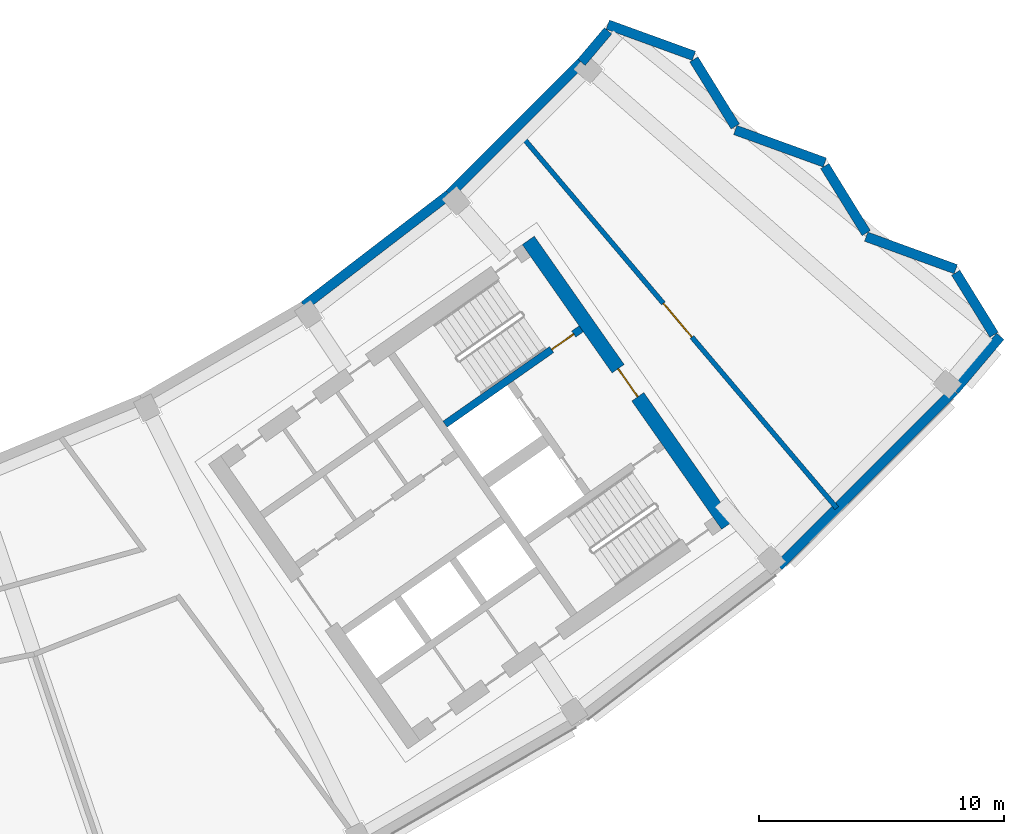
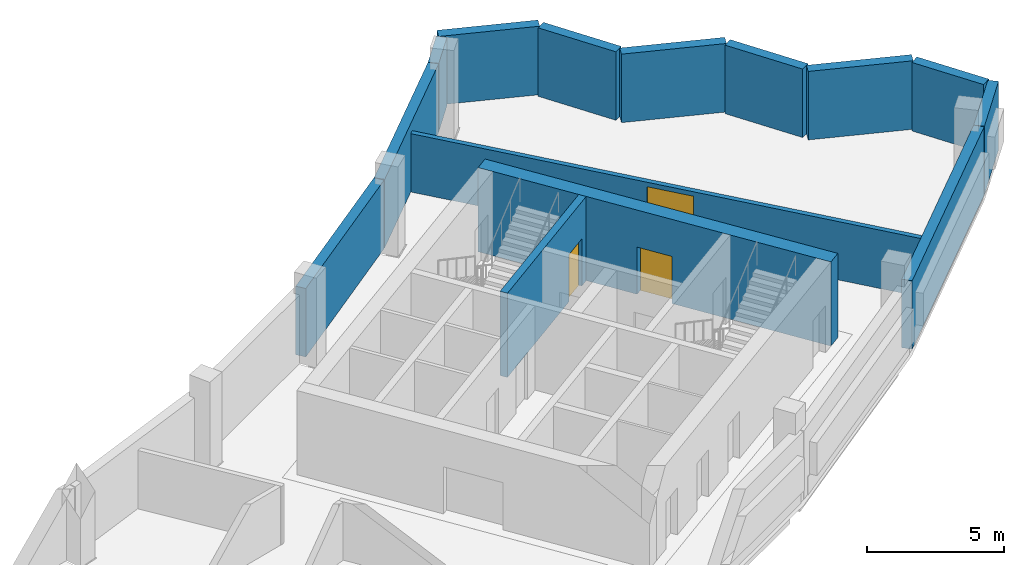
# One storey, part 7 of 12: 14 walls, 3 doors, 3 openings.
"""IFC4 building model written with IfcOpenShell, lengths in metres."""

from ifc_helpers import new_model, si_unit, direction, frame, frame_2d, origin, place, context, subcontext, project, spatial, rectangle, extrude, material, layer, layer_set, type_object, element, fill, save


model = new_model("IFC4")

# Units and contexts
model_context = context("Model", 3, precision=1e-05, world=origin(), true_north=direction((0.0, 1.0)))
body_context = subcontext(model_context, "Body", "Model", "MODEL_VIEW")
ifc_project = project(units=[si_unit("LENGTHUNIT", "METRE"), si_unit("AREAUNIT", "SQUARE_METRE"), si_unit("VOLUMEUNIT", "CUBIC_METRE"), si_unit("PLANEANGLEUNIT", "RADIAN"), si_unit("MASSUNIT", "GRAM", prefix="KILO")], contexts=[model_context])

# Site, building, storey
site_placement = place(None, origin())
site = spatial("IfcSite", under=ifc_project, at=site_placement, CompositionType="ELEMENT")
building_placement = place(site_placement, origin())
building = spatial("IfcBuilding", under=site, at=building_placement, Name="Qamariyya Broadcast Tower", CompositionType="ELEMENT")
storey_placement = place(building_placement, frame((0.0, 0.0, 290.699951171875)))
storey = spatial("IfcBuildingStorey", under=building, at=storey_placement, Name="L70", CompositionType="ELEMENT", Elevation=290.699951171875)

# Wall, opening, door
ifc_material_1 = material(Name="Concrete C60/75", Category="concrete")
ifc_layer_1 = layer(ifc_material_1, 0.60009765625)
ifc_layer_set_1 = layer_set([ifc_layer_1], Name="Core wall 600 mm Concrete C60/75")
wall_type_1 = type_object("IfcWallType", Name="Core wall 600 mm Concrete C60/75", PredefinedType="SHEAR", material=ifc_layer_set_1)
wall_1_placement = place(storey_placement, frame((49.4833984375, -57.031494140625, 0.0), z_axis=(0.0, 0.0, 1.0), x_axis=(-0.573560421458, 0.819163257805, 0.0)))
wall_1 = element("IfcWall", 1, at=wall_1_placement, inside=storey, type_object=wall_type_1, Name="k-E-L70-WH", PredefinedType="SHEAR", context=body_context, shape_type="SweptSolid", body=[
    extrude(rectangle(XDim=14.199951171875, YDim=0.60009765625, at=frame_2d((7.10009765625, 0.0))), origin(), (0.0, 0.0, 1.0), 3.75),
])
opening_1_placement = place(wall_1_placement, frame((6.39990234375, 0.0, 0.0)))
opening_1 = element("IfcOpeningElement", 2, at=opening_1_placement, cuts=wall_1, Name="Opening KD2-E1", PredefinedType="OPENING", context=body_context, shape_type="SweptSolid", body=[
    extrude(rectangle(XDim=1.39990234375, YDim=2.10009765625, at=frame_2d((0.699951171875, 1.050048828125))), frame((0.0, 0.31005859375, 0.0), z_axis=(0.0, -1.0, 0.0), x_axis=(1.0, 0.0, 0.0)), (0.0, 0.0, 1.0), 0.6201171875),
])
ifc_material_2 = material(Name="Steel fire-resisting door leaf", Category="steel")
door_type_1 = type_object("IfcDoorType", Name="Fire-fighting lobby door KD2", OperationType="DOUBLE_DOOR_SINGLE_SWING", PredefinedType="DOOR", material=ifc_material_2)
door_1_placement = place(opening_1_placement, origin())
door_1 = element("IfcDoor", 3, at=door_1_placement, inside=storey, type_object=door_type_1, Name="k-E-L70-WH-D13", OperationType="DOUBLE_DOOR_SINGLE_SWING", OverallHeight=2.10009765625, OverallWidth=1.39990234375, PredefinedType="DOOR", context=body_context, shape_type="SweptSolid", body=[
    extrude(rectangle(XDim=1.39990234375, YDim=2.10009765625, at=frame_2d((0.699951171875, 1.050048828125))), frame((0.0, 0.02490234375, 0.0), z_axis=(0.0, -1.0, 0.0), x_axis=(1.0, 0.0, 0.0)), (0.0, 0.0, 1.0), 0.050048828125),
])
fill(opening_1, door_1)

ifc_layer_2 = layer(ifc_material_1, 0.300048828125)
ifc_layer_set_2 = layer_set([ifc_layer_2], Name="Lift shaft wall 300 mm Concrete C60/75")
wall_type_2 = type_object("IfcWallType", Name="Lift shaft wall 300 mm Concrete C60/75", PredefinedType="SOLIDWALL", material=ifc_layer_set_2)
wall_2_placement = place(storey_placement, frame((37.935546875, -52.90966796875, 0.0), z_axis=(0.0, 0.0, 1.0), x_axis=(0.819147518138, 0.57358290031, 0.0)))
wall_2 = element("IfcWall", 4, at=wall_2_placement, inside=storey, type_object=wall_type_2, Name="k-E-L70-NW", PredefinedType="SOLIDWALL", context=body_context, shape_type="SweptSolid", body=[
    extrude(rectangle(XDim=6.79541015625, YDim=0.300048828125, at=frame_2d((3.397705078125, 0.0))), origin(), (0.0, 0.0, 1.0), 3.75),
])
opening_2_placement = place(wall_2_placement, frame((5.3203125, 0.0, 0.0)))
opening_2 = element("IfcOpeningElement", 5, at=opening_2_placement, cuts=wall_2, Name="Opening KD1-E2", PredefinedType="OPENING", context=body_context, shape_type="SweptSolid", body=[
    extrude(rectangle(XDim=1.10009765625, YDim=2.10009765625, at=frame_2d((0.550048828125, 1.050048828125))), frame((0.0, 0.159912109375, 0.0), z_axis=(0.0, -1.0, 0.0), x_axis=(1.0, 0.0, 0.0)), (0.0, 0.0, 1.0), 0.320068359375),
])
door_type_2 = type_object("IfcDoorType", Name="Stair door KD1", OperationType="SINGLE_SWING_LEFT", PredefinedType="DOOR", material=ifc_material_2)
door_2_placement = place(opening_2_placement, origin())
door_2 = element("IfcDoor", 6, at=door_2_placement, inside=storey, type_object=door_type_2, Name="k-E-L70-NW-D15", OperationType="SINGLE_SWING_LEFT", OverallHeight=2.10009765625, OverallWidth=1.10009765625, PredefinedType="DOOR", context=body_context, shape_type="SweptSolid", body=[
    extrude(rectangle(XDim=1.10009765625, YDim=2.10009765625, at=frame_2d((0.550048828125, 1.050048828125))), frame((0.0, 0.02490234375, 0.0), z_axis=(0.0, -1.0, 0.0), x_axis=(1.0, 0.0, 0.0)), (0.0, 0.0, 1.0), 0.050048828125),
])
fill(opening_2, door_2)

ifc_material_3 = material(Name="Masonry block wall", Category="masonry")
ifc_layer_3 = layer(ifc_material_3, 0.199951171875)
ifc_layer_set_3 = layer_set([ifc_layer_3], Name="Plant room wall 200 EI 120")
wall_type_3 = type_object("IfcWallType", Name="Plant room wall 200 EI 120", PredefinedType="PARTITIONING", material=ifc_layer_set_3)
wall_3_placement = place(storey_placement, frame((40.93603515625, -40.982666015625, 0.0), z_axis=(0.0, 0.0, 1.0), x_axis=(0.646426079671, -0.76297662056, 0.0)))
wall_3 = element("IfcWall", 7, at=wall_3_placement, inside=storey, type_object=wall_type_3, Name="Partition L70-024", PredefinedType="PARTITIONING", context=body_context, shape_type="SweptSolid", body=[
    extrude(rectangle(XDim=20.1259765625, YDim=0.199951171875, at=frame_2d((10.06298828125, 0.0))), origin(), (0.0, 0.0, 1.0), 2.60009765625),
])
opening_3_placement = place(wall_3_placement, frame((9.1630859375, 0.0, 0.0)))
opening_3 = element("IfcOpeningElement", 8, at=opening_3_placement, cuts=wall_3, Name="Opening L70-D12", PredefinedType="OPENING", context=body_context, shape_type="SweptSolid", body=[
    extrude(rectangle(XDim=1.800048828125, YDim=2.39990234375, at=frame_2d((0.89990234375, 1.199951171875))), frame((0.0, 0.10986328125, 0.0), z_axis=(0.0, -1.0, 0.0), x_axis=(1.0, 0.0, 0.0)), (0.0, 0.0, 1.0), 0.219970703125),
])
ifc_material_4 = material(Name="Insulated metal door leaf")
door_type_3 = type_object("IfcDoorType", Name="Plant double door 1800 x 2400 FD120", OperationType="NOTDEFINED", PredefinedType="DOOR", material=ifc_material_4)
door_3_placement = place(opening_3_placement, origin())
door_3 = element("IfcDoor", 9, at=door_3_placement, inside=storey, type_object=door_type_3, Name="Door L70-D12", OperationType="DOUBLE_DOOR_SINGLE_SWING", OverallHeight=2.39990234375, OverallWidth=1.800048828125, PredefinedType="DOOR", context=body_context, shape_type="SweptSolid", body=[
    extrude(rectangle(XDim=1.800048828125, YDim=2.39990234375, at=frame_2d((0.89990234375, 1.199951171875))), frame((0.0, 0.02490234375, 0.0), z_axis=(0.0, -1.0, 0.0), x_axis=(1.0, 0.0, 0.0)), (0.0, 0.0, 1.0), 0.050048828125),
])
fill(opening_3, door_3)

# Walls
ifc_material_5 = material(Name="Terracotta", Category="masonry")
ifc_layer_4 = layer(ifc_material_5, 0.39990234375)
ifc_layer_set_4 = layer_set([ifc_layer_4], Name="Solid terracotta louvred band wall 400")
wall_type_4 = type_object("IfcWallType", Name="Solid terracotta louvred band wall 400", PredefinedType="SOLIDWALL", material=ifc_layer_set_4)
wall_4_placement = place(storey_placement, frame((60.36962890625, -49.252685546875, 0.0), z_axis=(0.0, 0.0, 1.0), x_axis=(-0.525538284274, 0.850769952315, 0.0)))
element("IfcWall", 10, at=wall_4_placement, inside=storey, type_object=wall_type_4, Name="e-wl-L70-capE0", PredefinedType="SOLIDWALL", context=body_context, shape_type="SweptSolid", body=[
    extrude(rectangle(XDim=2.976318359375, YDim=0.39990234375, at=frame_2d((1.48828125, 0.0))), origin(), (0.0, 0.0, 1.0), 3.050048828125),
])
wall_5_placement = place(storey_placement, frame((58.806396484375, -46.57421875, 0.0), z_axis=(0.0, 0.0, 1.0), x_axis=(-0.940075029039, 0.340967652099, 0.0)))
element("IfcWall", 11, at=wall_5_placement, inside=storey, type_object=wall_type_4, Name="e-wl-L70-capE1", PredefinedType="SOLIDWALL", context=body_context, shape_type="SweptSolid", body=[
    extrude(rectangle(XDim=3.893798828125, YDim=0.39990234375, at=frame_2d((1.94677734375, 0.0))), origin(), (0.0, 0.0, 1.0), 3.050048828125),
])
wall_6_placement = place(storey_placement, frame((55.14697265625, -45.1005859375, 0.0), z_axis=(0.0, 0.0, 1.0), x_axis=(-0.525649491409, 0.850701247314, 0.0)))
element("IfcWall", 12, at=wall_6_placement, inside=storey, type_object=wall_type_4, Name="e-wl-L70-capE2", PredefinedType="SOLIDWALL", context=body_context, shape_type="SweptSolid", body=[
    extrude(rectangle(XDim=3.21923828125, YDim=0.39990234375, at=frame_2d((1.609619140625, 0.0))), origin(), (0.0, 0.0, 1.0), 3.050048828125),
])
wall_7_placement = place(storey_placement, frame((53.455810546875, -42.216064453125, 0.0), z_axis=(0.0, 0.0, 1.0), x_axis=(-0.940086069154, 0.340937212083, 0.0)))
element("IfcWall", 13, at=wall_7_placement, inside=storey, type_object=wall_type_4, Name="e-wl-L70-capE3", PredefinedType="SOLIDWALL", context=body_context, shape_type="SweptSolid", body=[
    extrude(rectangle(XDim=3.892578125, YDim=0.39990234375, at=frame_2d((1.9462890625, 0.0))), origin(), (0.0, 0.0, 1.0), 3.050048828125),
])
wall_8_placement = place(storey_placement, frame((49.797119140625, -40.742919921875, 0.0), z_axis=(0.0, 0.0, 1.0), x_axis=(-0.525678481137, 0.850683333838, 0.0)))
element("IfcWall", 14, at=wall_8_placement, inside=storey, type_object=wall_type_4, Name="e-wl-L70-capE4", PredefinedType="SOLIDWALL", context=body_context, shape_type="SweptSolid", body=[
    extrude(rectangle(XDim=3.220458984375, YDim=0.39990234375, at=frame_2d((1.6103515625, 0.0))), origin(), (0.0, 0.0, 1.0), 3.050048828125),
])
wall_9_placement = place(storey_placement, frame((48.105224609375, -37.857421875, 0.0), z_axis=(0.0, 0.0, 1.0), x_axis=(-0.940130056589, 0.340815898541, 0.0)))
element("IfcWall", 15, at=wall_9_placement, inside=storey, type_object=wall_type_4, Name="e-wl-L70-capE5", PredefinedType="SOLIDWALL", context=body_context, shape_type="SweptSolid", body=[
    extrude(rectangle(XDim=3.742919921875, YDim=0.39990234375, at=frame_2d((1.87158203125, 0.0))), origin(), (0.0, 0.0, 1.0), 3.050048828125),
])
wall_10_placement = place(storey_placement, frame((38.103271484375, -43.525146484375, 0.0), z_axis=(0.0, 0.0, 1.0), x_axis=(-0.793355236357, -0.608758957999, 0.0)))
element("IfcWall", 16, at=wall_10_placement, inside=storey, type_object=wall_type_4, Name="e-wl-L70-in120", PredefinedType="SOLIDWALL", context=body_context, shape_type="SweptSolid", body=[
    extrude(rectangle(XDim=7.4658203125, YDim=0.39990234375, at=frame_2d((3.73291015625, 0.0))), origin(), (0.0, 0.0, 1.0), 3.050048828125),
])
wall_11_placement = place(storey_placement, frame((43.50146484375, -38.13623046875, 0.0), z_axis=(0.0, 0.0, 1.0), x_axis=(-0.707106781187, -0.707106781187, 0.0)))
element("IfcWall", 17, at=wall_11_placement, inside=storey, type_object=wall_type_4, Name="e-wl-L70-in130", PredefinedType="SOLIDWALL", context=body_context, shape_type="SweptSolid", body=[
    extrude(rectangle(XDim=7.6025390625, YDim=0.39990234375, at=frame_2d((3.80126953125, 0.0))), origin(), (0.0, 0.0, 1.0), 3.050048828125),
])
wall_12_placement = place(storey_placement, frame((44.59814453125, -36.8369140625, 0.0), z_axis=(0.0, 0.0, 1.0), x_axis=(-0.645545650865, -0.763721685334, 0.0)))
element("IfcWall", 18, at=wall_12_placement, inside=storey, type_object=wall_type_4, Name="e-wl-L70-in140", PredefinedType="SOLIDWALL", context=body_context, shape_type="SweptSolid", body=[
    extrude(rectangle(XDim=1.68359375, YDim=0.39990234375, at=frame_2d((0.841796875, 0.0))), origin(), (0.0, 0.0, 1.0), 3.050048828125),
])
wall_13_placement = place(storey_placement, frame((51.5634765625, -58.719970703125, 0.0), z_axis=(0.0, 0.0, 1.0), x_axis=(0.707118813872, 0.707094748296, 0.0)))
element("IfcWall", 19, at=wall_13_placement, inside=storey, type_object=wall_type_4, Name="e-wl-L70-out130", PredefinedType="SOLIDWALL", context=body_context, shape_type="SweptSolid", body=[
    extrude(rectangle(XDim=10.144775390625, YDim=0.39990234375, at=frame_2d((5.072265625, 0.0))), origin(), (0.0, 0.0, 1.0), 3.050048828125),
])
wall_14_placement = place(storey_placement, frame((58.74951171875, -51.53564453125, 0.0), z_axis=(0.0, 0.0, 1.0), x_axis=(0.6455801385, 0.763692532878, 0.0)))
element("IfcWall", 20, at=wall_14_placement, inside=storey, type_object=wall_type_4, Name="e-wl-L70-out140", PredefinedType="SOLIDWALL", context=body_context, shape_type="SweptSolid", body=[
    extrude(rectangle(XDim=2.902099609375, YDim=0.39990234375, at=frame_2d((1.451171875, 0.0))), origin(), (0.0, 0.0, 1.0), 3.050048828125),
])

save(model, "model.ifc")
